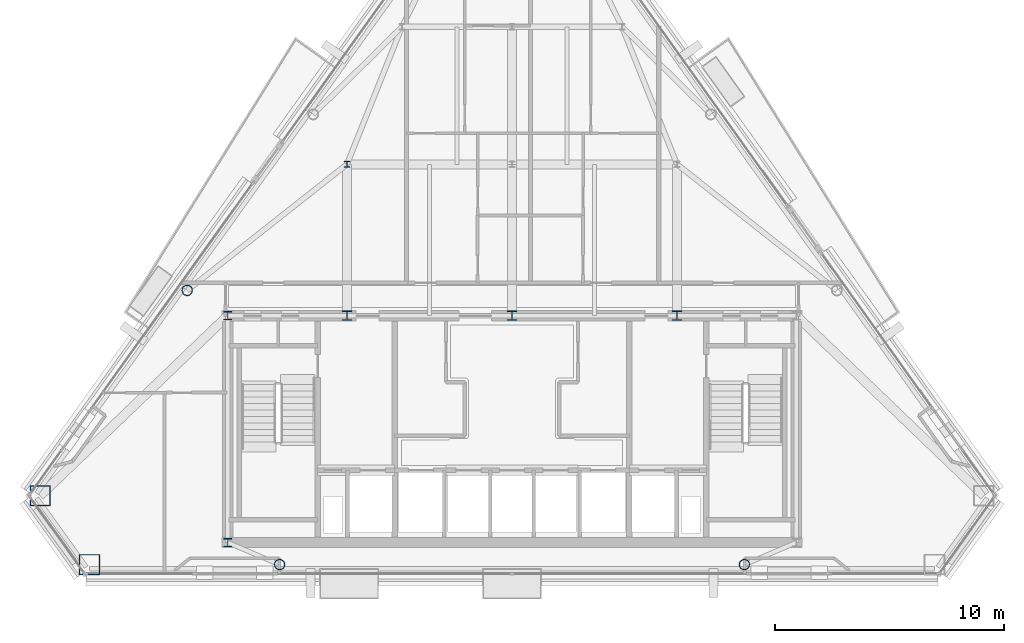
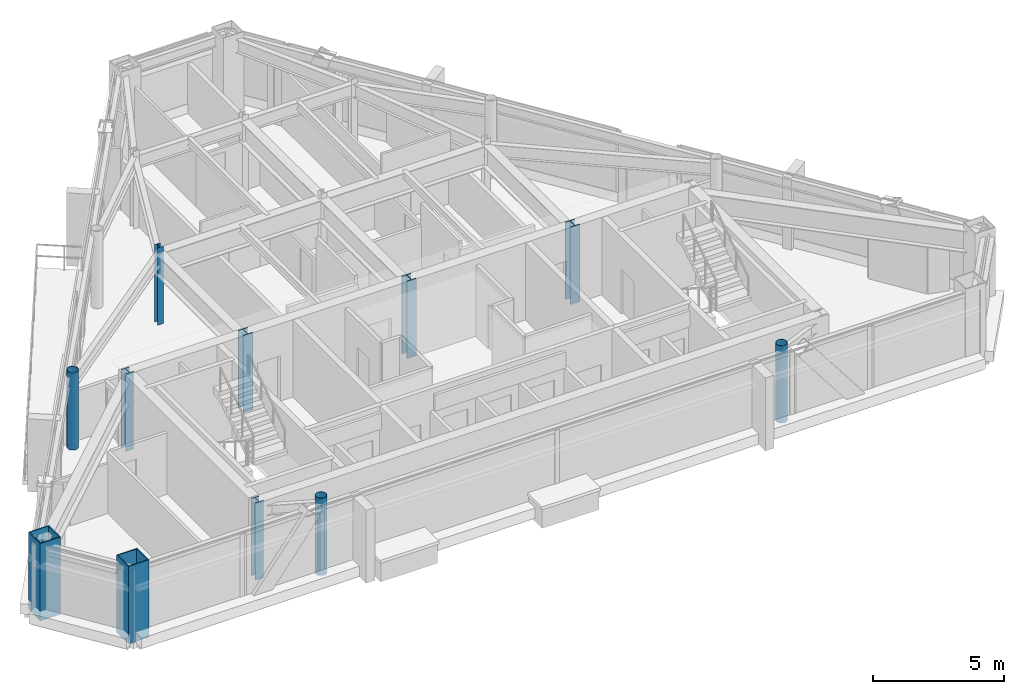
# One storey, part 1 of 12: 11 columns.
"""IFC4 building model written with IfcOpenShell, lengths in metres."""

import ifcopenshell
import ifcopenshell.guid

model = None  # the IFC model being written
_history = None  # IfcOwnerHistory: only IFC2X3 demands one
_inside = {}  # id of a spatial element -> (the spatial element, [elements in it])
_under = {}  # id of a project, library or spatial element -> (it, [spatial elements below it])
_declared = {}  # id of a project -> (the project, [libraries it declares])
_typed = {}  # id of a type object -> (the type object, [elements of that type])
_made_of = {}  # id of a material, layer set ... -> (it, [elements and type objects made of it])


def new_model(schema):
    """Start an empty IFC model of exactly this schema.

    Asked for "IFC4X3", IfcOpenShell would pick the latest addendum, in which some entities
    have other attributes; the version numbers below select the first issue.
    IFC2X3 requires an IfcOwnerHistory on every rooted entity: one is made here for all.
    """
    global model, _history
    if schema == "IFC4X3":
        model = ifcopenshell.file(schema_version=(4, 3, 0, 0))
    else:
        model = ifcopenshell.file(schema=schema)
    _inside.clear()
    _under.clear()
    _declared.clear()
    _typed.clear()
    _made_of.clear()
    _history = None
    if model.schema == "IFC2X3":
        org = make("IfcOrganization", Name="unknown")
        user = make(
            "IfcPersonAndOrganization",
            ThePerson=make("IfcPerson", FamilyName="unknown"),
            TheOrganization=org,
        )
        app = make(
            "IfcApplication",
            ApplicationDeveloper=org,
            Version="unknown",
            ApplicationFullName="unknown",
            ApplicationIdentifier="unknown",
        )
        _history = make(
            "IfcOwnerHistory",
            OwningUser=user,
            OwningApplication=app,
            ChangeAction="ADDED",
            CreationDate=0,
        )
    return model


def make(cls, **values):
    """One entity of the class cls with the attributes given. An attribute that is None is left unset."""
    return model.create_entity(
        cls, **{name: value for name, value in values.items() if value is not None}
    )


def rooted(cls, **values):
    """An entity with a GlobalId (a new one), such as an element, a storey or a relation."""
    return make(cls, GlobalId=ifcopenshell.guid.new(), OwnerHistory=_history, **values)


def si_unit(unit_type, name, prefix=None):
    """IfcSIUnit, for example si_unit("LENGTHUNIT", "METRE", prefix="MILLI")."""
    return make("IfcSIUnit", UnitType=unit_type, Prefix=prefix, Name=name)


def assignment(units):
    """IfcUnitAssignment: the units of a project."""
    return None if units is None else make("IfcUnitAssignment", Units=units)


def point(xyz):
    """IfcCartesianPoint."""
    return None if xyz is None else make("IfcCartesianPoint", Coordinates=xyz)


def direction(xyz):
    """IfcDirection."""
    return None if xyz is None else make("IfcDirection", DirectionRatios=xyz)


def frame(location, z_axis=None, x_axis=None):
    """IfcAxis2Placement3D, a coordinate frame: its origin and axes. An axis left out is left unset."""
    return make(
        "IfcAxis2Placement3D",
        Location=point(location),
        Axis=direction(z_axis),
        RefDirection=direction(x_axis),
    )


def frame_2d(location, x_axis=None):
    """IfcAxis2Placement2D, a coordinate frame in the plane: its origin and x axis."""
    return make(
        "IfcAxis2Placement2D", Location=point(location), RefDirection=direction(x_axis)
    )


def origin():
    """The frame at (0, 0, 0) with its axes left unset."""
    return frame((0.0, 0.0, 0.0))


def origin_2d():
    """The frame at (0, 0) in the plane with its x axis left unset."""
    return frame_2d((0.0, 0.0))


def place(relative_to, where):
    """IfcLocalPlacement: puts the frame where relative to a parent placement (None: the world)."""
    return make(
        "IfcLocalPlacement", PlacementRelTo=relative_to, RelativePlacement=where
    )


def context(
    kind, dimensions, precision=None, world=None, true_north=None, identifier=None
):
    """IfcGeometricRepresentationContext, for example the 3D "Model" context."""
    return make(
        "IfcGeometricRepresentationContext",
        ContextIdentifier=identifier,
        ContextType=kind,
        CoordinateSpaceDimension=dimensions,
        Precision=precision,
        WorldCoordinateSystem=world,
        TrueNorth=true_north,
    )


def subcontext(parent, identifier, kind, view, scale=None):
    """IfcGeometricRepresentationSubContext, for example "Body" below "Model"."""
    return make(
        "IfcGeometricRepresentationSubContext",
        ContextIdentifier=identifier,
        ContextType=kind,
        ParentContext=parent,
        TargetScale=scale,
        TargetView=view,
    )


def project(units=None, contexts=None):
    """IfcProject with its units and contexts."""
    return rooted(
        "IfcProject",
        Name="project",
        RepresentationContexts=contexts,
        UnitsInContext=assignment(units),
    )


def spatial(cls, under=None, at=None, **own):
    """A site, building, storey or space (cls), placed at a placement, below another one or the project."""
    s = rooted(cls, ObjectPlacement=at, **own)
    if under is not None:
        _under.setdefault(under.id(), (under, []))[1].append(s)
    return s


def profile(cls, at=None, kind="AREA", **sizes):
    """A parametric profile (cls). Its sizes go by their IFC names, for example OverallWidth=200.0."""
    return make(cls, ProfileType=kind, Position=at, **sizes)


def hollow_rectangle(**sizes):
    """IfcRectangleHollowProfileDef."""
    return profile("IfcRectangleHollowProfileDef", **sizes)


def hollow_circle(**sizes):
    """IfcCircleHollowProfileDef."""
    return profile("IfcCircleHollowProfileDef", **sizes)


def i_section(**sizes):
    """IfcIShapeProfileDef."""
    return profile("IfcIShapeProfileDef", **sizes)


def extrude(swept, where, along, depth):
    """IfcExtrudedAreaSolid: the profile swept, set in the frame where, extruded along a direction by depth."""
    return make(
        "IfcExtrudedAreaSolid",
        SweptArea=swept,
        Position=where,
        ExtrudedDirection=direction(along),
        Depth=depth,
    )


def shape(context_of_items, identifier, shape_type, items):
    """IfcShapeRepresentation: the items that make up one representation, for example the "Body"."""
    return make(
        "IfcShapeRepresentation",
        ContextOfItems=context_of_items,
        RepresentationIdentifier=identifier,
        RepresentationType=shape_type,
        Items=items,
    )


def material(Name=None, Category=None):
    """IfcMaterial."""
    return make("IfcMaterial", Name=Name, Category=Category)


def material_profile(
    of_material, cross_section, Name=None, Category=None, Priority=None
):
    """IfcMaterialProfile: a cross section and its material."""
    return make(
        "IfcMaterialProfile",
        Name=Name,
        Material=of_material,
        Profile=cross_section,
        Priority=Priority,
        Category=Category,
    )


def profile_set(profiles, Name=None, composite=None):
    """IfcMaterialProfileSet."""
    return make(
        "IfcMaterialProfileSet",
        Name=Name,
        MaterialProfiles=profiles,
        CompositeProfile=composite,
    )


def made_of(thing, what):
    """Note that an element or type object is made of a material, layer set ...; save() writes the relation."""
    if what is not None:
        _made_of.setdefault(what.id(), (what, []))[1].append(thing)
    return thing


def type_object(cls, material=None, **own):
    """A type object (cls), such as IfcWallType, which elements share."""
    return made_of(rooted(cls, **own), material)


def element(
    cls,
    number,
    at=None,
    inside=None,
    cuts=None,
    type_object=None,
    material=None,
    context=None,
    identifier="Body",
    shape_type=None,
    held_by="IfcProductDefinitionShape",
    body=None,
    shapes=None,
    **own,
):
    """One element of the class cls, such as IfcWall. Its Tag is "e" and its number.

    at: its placement. inside: the storey or other place that contains it. cuts: it is an
    opening in that element (IfcRelVoidsElement). A single representation is given by context,
    identifier, shape_type and body (its items); several are given by shapes. held_by: the class
    of the entity that holds the representations. save() writes the other relations.
    """
    e = rooted(cls, Tag="e%d" % number, ObjectPlacement=at, **own)
    if body is not None:
        shapes = [shape(context, identifier, shape_type, body)]
    if shapes is not None:
        e.Representation = make(held_by, Representations=shapes)
    if inside is not None:
        _inside.setdefault(inside.id(), (inside, []))[1].append(e)
    if cuts is not None:
        rooted(
            "IfcRelVoidsElement", RelatingBuildingElement=cuts, RelatedOpeningElement=e
        )
    if type_object is not None:
        _typed.setdefault(type_object.id(), (type_object, []))[1].append(e)
    return made_of(e, material)


def aggregate(whole, parts):
    """IfcRelAggregates: a whole, such as a stair, and the parts it consists of."""
    return rooted("IfcRelAggregates", RelatingObject=whole, RelatedObjects=parts)


def save(model, path):
    """Write the relations noted so far, then the file.

    IfcRelAggregates (storeys below a building ...), IfcRelContainedInSpatialStructure (elements
    in a storey), IfcRelDefinesByType, IfcRelAssociatesMaterial and IfcRelDeclares: one each for
    every whole, place, type object, material and project.
    """
    for whole, parts in _under.values():
        aggregate(whole, parts)
    for where, things in _inside.values():
        rooted(
            "IfcRelContainedInSpatialStructure",
            RelatedElements=things,
            RelatingStructure=where,
        )
    for kind, things in _typed.values():
        rooted("IfcRelDefinesByType", RelatedObjects=things, RelatingType=kind)
    for what, things in _made_of.values():
        rooted("IfcRelAssociatesMaterial", RelatedObjects=things, RelatingMaterial=what)
    for by, libraries in _declared.values():
        rooted("IfcRelDeclares", RelatingContext=by, RelatedDefinitions=libraries)
    model.write(path)


model = new_model("IFC4")

# Units and contexts
model_context = context("Model", 3, precision=1e-05, world=origin(), true_north=direction((0.0, 1.0)))
body_context = subcontext(model_context, "Body", "Model", "MODEL_VIEW")
ifc_project = project(units=[si_unit("LENGTHUNIT", "METRE"), si_unit("AREAUNIT", "SQUARE_METRE"), si_unit("VOLUMEUNIT", "CUBIC_METRE"), si_unit("PLANEANGLEUNIT", "RADIAN"), si_unit("MASSUNIT", "GRAM", prefix="KILO")], contexts=[model_context])

# Site, building, storey
site_placement = place(None, origin())
site = spatial("IfcSite", under=ifc_project, at=site_placement, CompositionType="ELEMENT")
building_placement = place(site_placement, origin())
building = spatial("IfcBuilding", under=site, at=building_placement, Name="Talgorran Terracotta Tower", CompositionType="ELEMENT")
storey_placement = place(building_placement, frame((0.0, 0.0, 249.0)))
storey = spatial("IfcBuildingStorey", under=building, at=storey_placement, Name="L65", CompositionType="ELEMENT", Elevation=249.0)

# Columns
ifc_material_1 = material(Name="Steel S355 (300PLUS)", Category="steel")
ifc_material_profile_1 = material_profile(ifc_material_1, i_section(OverallWidth=0.256103515625, OverallDepth=0.260009765625, WebThickness=0.010498046875, FlangeThickness=0.017333984375, at=origin_2d()), Name="250UC89.5")
ifc_profile_set_1 = profile_set([ifc_material_profile_1], Name="Steel S355 (300PLUS)")
column_type_1 = type_object("IfcColumnType", Name="COL_250UC89", PredefinedType="COLUMN", material=ifc_profile_set_1)
column_placement = place(storey_placement, frame((-7.199951171875, 2.39990234375, 0.0), z_axis=(0.0, 0.0, 1.0), x_axis=(1.0, 0.0, 0.0)))
element("IfcColumn", 1, at=column_placement, inside=storey, type_object=column_type_1, Name="L65 Interior Gravity Column IC1", PredefinedType="COLUMN", context=body_context, shape_type="SweptSolid", body=[
    extrude(i_section(OverallWidth=0.256103515625, OverallDepth=0.260009765625, WebThickness=0.010498046875, FlangeThickness=0.017333984375, at=origin_2d()), origin(), (0.0, 0.0, 1.0), 3.60009765625),
])
ifc_material_profile_2 = material_profile(ifc_material_1, i_section(OverallWidth=0.35205078125, OverallDepth=0.35888671875, WebThickness=0.01806640625, FlangeThickness=0.02587890625, at=origin_2d()), Name="350WC197")
ifc_profile_set_2 = profile_set([ifc_material_profile_2], Name="Steel S355 (300PLUS)")
column_type_2 = type_object("IfcColumnType", Name="COL_350WC197", PredefinedType="COLUMN", material=ifc_profile_set_2)
for number, where, z_axis, x_axis, name in (
    (2, (-12.39990234375, -14.10009765625, 0.0), (0.0, 0.0, 1.0), (1.0, 0.0, 0.0), "L65 Core Boundary Column CC1"),
    (3, (-12.39990234375, -4.199951171875, 0.0), (0.0, 0.0, 1.0), (1.0, 0.0, 0.0), "L65 Core Boundary Column CC4"),
):
    element("IfcColumn", number, at=place(storey_placement, frame(where, z_axis=z_axis, x_axis=x_axis)), inside=storey, type_object=column_type_2, Name=name, PredefinedType="COLUMN", context=body_context, shape_type="SweptSolid", body=[
        extrude(i_section(OverallWidth=0.35205078125, OverallDepth=0.35888671875, WebThickness=0.01806640625, FlangeThickness=0.02587890625, at=origin_2d()), origin(), (0.0, 0.0, 1.0), 3.60009765625),
    ])
ifc_material_2 = material(Name="Steel Grade 350 (350L0)", Category="steel")
ifc_material_profile_3 = material_profile(ifc_material_2, hollow_rectangle(XDim=0.89990234375, YDim=0.89990234375, WallThickness=0.0400390625, at=origin_2d()), Name="CFT900X900X40")
ifc_profile_set_3 = profile_set([ifc_material_profile_3], Name="Steel Grade 350 (350L0)")
column_type_3 = type_object("IfcColumnType", Name="COL_CFT_900", PredefinedType="COLUMN", material=ifc_profile_set_3)
for number, where, z_axis, x_axis, name in (
    (4, (-20.585205078125, -12.056640625, 0.0), (0.0, 0.0, 1.0), (1.0, 0.0, 0.0), "L65 Corner CFT Mega-Column MC1"),
    (5, (-18.43212890625, -15.063232421875, 0.0), (0.0, 0.0, 1.0), (1.0, 0.0, 0.0), "L65 Corner CFT Mega-Column MC2"),
):
    element("IfcColumn", number, at=place(storey_placement, frame(where, z_axis=z_axis, x_axis=x_axis)), inside=storey, type_object=column_type_3, Name=name, PredefinedType="COLUMN", context=body_context, shape_type="SweptSolid", body=[
        extrude(hollow_rectangle(XDim=0.89990234375, YDim=0.89990234375, WallThickness=0.0400390625, at=origin_2d()), origin(), (0.0, 0.0, 1.0), 3.60009765625),
    ])
ifc_material_3 = material(Name="Steel S350 (C350L0)", Category="steel")
ifc_material_profile_4 = material_profile(ifc_material_3, hollow_circle(Radius=0.228515625, WallThickness=0.01611328125, at=origin_2d()), Name="CHS457X16")
ifc_profile_set_4 = profile_set([ifc_material_profile_4], Name="Steel S350 (C350L0)")
column_type_4 = type_object("IfcColumnType", Name="COL_CHS_457", PredefinedType="COLUMN", material=ifc_profile_set_4)
for number, where, z_axis, x_axis, name in (
    (6, (-10.1376953125, -15.063232421875, 0.0), (0.0, 0.0, 1.0), (1.0, 0.0, 0.0), "L65 Facet Perimeter Column FC1"),
    (7, (10.1376953125, -15.063232421875, 0.0), (0.0, 0.0, 1.0), (1.0, 0.0, 0.0), "L65 Facet Perimeter Column FC2"),
    (8, (-14.170654296875, -3.09912109375, 0.0), (0.0, 0.0, 1.0), (1.0, 0.0, 0.0), "L65 Facet Perimeter Column FC6"),
):
    element("IfcColumn", number, at=place(storey_placement, frame(where, z_axis=z_axis, x_axis=x_axis)), inside=storey, type_object=column_type_4, Name=name, PredefinedType="COLUMN", context=body_context, shape_type="SweptSolid", body=[
        extrude(hollow_circle(Radius=0.228515625, WallThickness=0.01611328125, at=origin_2d()), origin(), (0.0, 0.0, 1.0), 3.60009765625),
    ])
ifc_material_profile_5 = material_profile(ifc_material_1, i_section(OverallWidth=0.405029296875, OverallDepth=0.4140625, WebThickness=0.02197265625, FlangeThickness=0.031982421875, at=origin_2d()), Name="400WC270")
ifc_profile_set_5 = profile_set([ifc_material_profile_5], Name="Steel S355 (300PLUS)")
column_type_5 = type_object("IfcColumnType", Name="COL_PIL_400WC270", PredefinedType="PILASTER", material=ifc_profile_set_5)
for number, where, z_axis, x_axis, name in (
    (9, (-7.199951171875, -4.199951171875, 0.0), (0.0, 0.0, 1.0), (1.0, 0.0, 0.0), "L65 Core Shear Pilaster CP1"),
    (10, (0.0, -4.199951171875, 0.0), (0.0, 0.0, 1.0), (1.0, 0.0, 0.0), "L65 Core Shear Pilaster CP2"),
    (11, (7.199951171875, -4.199951171875, 0.0), (0.0, 0.0, 1.0), (1.0, 0.0, 0.0), "L65 Core Shear Pilaster CP3"),
):
    element("IfcColumn", number, at=place(storey_placement, frame(where, z_axis=z_axis, x_axis=x_axis)), inside=storey, type_object=column_type_5, Name=name, PredefinedType="PILASTER", context=body_context, shape_type="SweptSolid", body=[
        extrude(i_section(OverallWidth=0.405029296875, OverallDepth=0.4140625, WebThickness=0.02197265625, FlangeThickness=0.031982421875, at=origin_2d()), origin(), (0.0, 0.0, 1.0), 3.60009765625),
    ])

save(model, "model.ifc")
